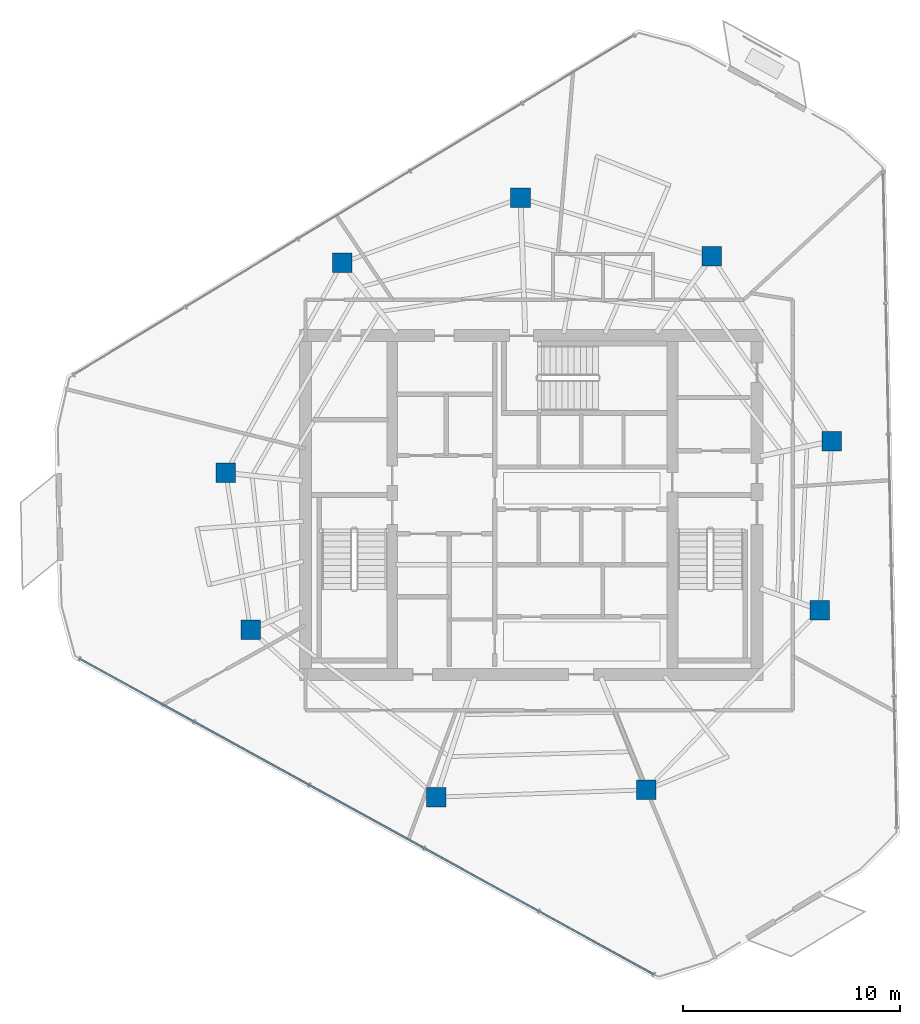
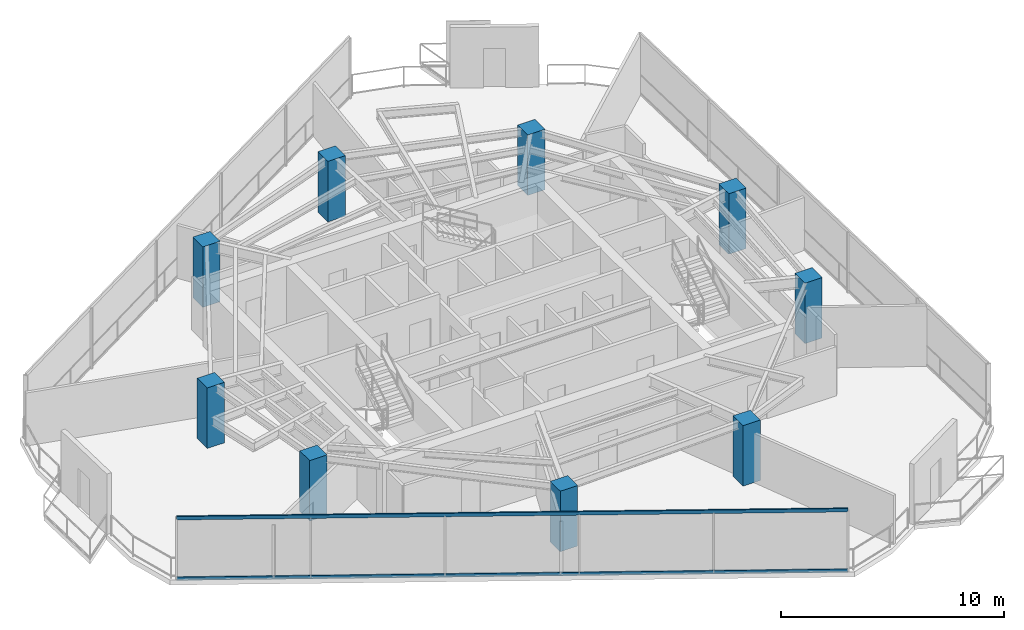
# One storey, part 1 of 19: 9 columns, 2 members, 1 element without a shape of its own.
"""IFC4 building model written with IfcOpenShell, lengths in metres."""

from ifc_helpers import new_model, si_unit, direction, frame, origin, origin_2d, place, context, subcontext, project, spatial, rectangle, hollow_rectangle, extrude, material, layer, layer_set, material_profile, profile_set, type_object, element, aggregate, save


model = new_model("IFC4")

# Units and contexts
model_context = context("Model", 3, precision=1e-05, world=origin(), true_north=direction((0.0, 1.0)))
body_context = subcontext(model_context, "Body", "Model", "MODEL_VIEW")
ifc_project = project(units=[si_unit("LENGTHUNIT", "METRE"), si_unit("AREAUNIT", "SQUARE_METRE"), si_unit("VOLUMEUNIT", "CUBIC_METRE"), si_unit("PLANEANGLEUNIT", "RADIAN"), si_unit("MASSUNIT", "GRAM", prefix="KILO")], contexts=[model_context])

# Site, building, storey
site_placement = place(None, origin())
site = spatial("IfcSite", under=ifc_project, at=site_placement, CompositionType="ELEMENT")
building_placement = place(site_placement, origin())
building = spatial("IfcBuilding", under=site, at=building_placement, Name="Qarnah Convention Tower", CompositionType="ELEMENT")
storey_placement = place(building_placement, frame((0.0, 0.0, 184.199951171875)))
storey = spatial("IfcBuildingStorey", under=building, at=storey_placement, Name="L49", CompositionType="ELEMENT", Elevation=184.199951171875)

# Columns
ifc_material_1 = material(Name="Concrete C50/60", Category="concrete")
ifc_material_profile_1 = material_profile(ifc_material_1, rectangle(XDim=0.89990234375, YDim=0.89990234375, at=origin_2d()), Name="RC-COL-900X900")
ifc_profile_set_1 = profile_set([ifc_material_profile_1], Name="Concrete C50/60")
column_type = type_object("IfcColumnType", Name="COL-Z4-900", PredefinedType="COLUMN", material=ifc_profile_set_1)
for number, where, z_axis, x_axis, name in (
    (1, (51.041015625, 29.342041015625, 0.0), (0.0, 0.0, 1.0), (1.0, 0.0, 0.0), "L49 plumb column PC-Z4-01"),
    (2, (45.51708984375, 37.847900390625, 0.0), (0.0, 0.0, 1.0), (1.0, 0.0, 0.0), "L49 plumb column PC-Z4-02"),
    (3, (36.7060546875, 40.541015625, 0.0), (0.0, 0.0, 1.0), (1.0, 0.0, 0.0), "L49 plumb column PC-Z4-03"),
    (4, (28.488037109375, 37.550048828125, 0.0), (0.0, 0.0, 1.0), (1.0, 0.0, 0.0), "L49 plumb column PC-Z4-04"),
    (5, (23.1279296875, 27.87890625, 0.0), (0.0, 0.0, 1.0), (1.0, 0.0, 0.0), "L49 plumb column PC-Z4-05"),
    (6, (24.27294921875, 20.64501953125, 0.0), (0.0, 0.0, 1.0), (1.0, 0.0, 0.0), "L49 plumb column PC-Z4-06"),
    (7, (32.826904296875, 12.943115234375, 0.0), (0.0, 0.0, 1.0), (1.0, 0.0, 0.0), "L49 plumb column PC-Z4-07"),
    (8, (42.5009765625, 13.280029296875, 0.0), (0.0, 0.0, 1.0), (1.0, 0.0, 0.0), "L49 plumb column PC-Z4-08"),
    (9, (50.4970703125, 21.56005859375, 0.0), (0.0, 0.0, 1.0), (1.0, 0.0, 0.0), "L49 plumb column PC-Z4-09"),
):
    element("IfcColumn", number, at=place(storey_placement, frame(where, z_axis=z_axis, x_axis=x_axis)), inside=storey, type_object=column_type, Name=name, PredefinedType="COLUMN", context=body_context, shape_type="SweptSolid", body=[
        extrude(rectangle(XDim=0.89990234375, YDim=0.89990234375, at=origin_2d()), origin(), (0.0, 0.0, 1.0), 3.320068359375),
    ])

# Curtain wall, members
ifc_material_2 = material(Name="Tempered Low-E dark glass", Category="glass")
ifc_layer = layer(ifc_material_2, 0.174072265625)
ifc_layer_set = layer_set([ifc_layer], Name="Tempered Low-E dark glass")
curtain_wall_type = type_object("IfcCurtainWallType", Name="CWS-04", PredefinedType="NOTDEFINED", material=ifc_layer_set)
curtain_wall_placement = place(storey_placement, origin())
curtain_wall = element("IfcCurtainWall", 10, at=curtain_wall_placement, inside=storey, type_object=curtain_wall_type, Name="L49 unitised curtain wall CW-L49-F3", PredefinedType="NOTDEFINED")
ifc_material_3 = material(Name="Black anodised aluminium", Category="aluminium")
ifc_material_profile_2 = material_profile(ifc_material_3, hollow_rectangle(XDim=0.074951171875, YDim=0.18994140625, WallThickness=0.0048828125, at=origin_2d()), Name="TRN-75X190")
ifc_profile_set_2 = profile_set([ifc_material_profile_2], Name="Black anodised aluminium")
member_type = type_object("IfcMemberType", Name="TRN-T4", PredefinedType="USERDEFINED", material=ifc_profile_set_2)
member_1_placement = place(storey_placement, frame((42.847900390625, 4.77099609375, 0.0), z_axis=(-0.876301443547, 0.481763199132, 0.0), x_axis=(-0.481763199132, -0.876301443547, 0.0)))
member_1 = element("IfcMember", 11, at=member_1_placement, type_object=member_type, Name="CW-L49-F3 transom 1", ObjectType="TRANSOM", PredefinedType="USERDEFINED", context=body_context, shape_type="SweptSolid", body=[
    extrude(hollow_rectangle(XDim=0.074951171875, YDim=0.18994140625, WallThickness=0.0048828125, at=origin_2d()), origin(), (0.0, 0.0, 1.0), 30.18701171875),
])
member_2_placement = place(storey_placement, frame((42.847900390625, 4.77099609375, 3.320068359375), z_axis=(-0.876301443547, 0.481763199132, 0.0), x_axis=(-0.481763199132, -0.876301443547, 0.0)))
member_2 = element("IfcMember", 12, at=member_2_placement, type_object=member_type, Name="CW-L49-F3 transom 2", ObjectType="TRANSOM", PredefinedType="USERDEFINED", context=body_context, shape_type="SweptSolid", body=[
    extrude(hollow_rectangle(XDim=0.074951171875, YDim=0.18994140625, WallThickness=0.0048828125, at=origin_2d()), origin(), (0.0, 0.0, 1.0), 30.18701171875),
])
aggregate(curtain_wall, [member_1, member_2])

save(model, "model.ifc")
